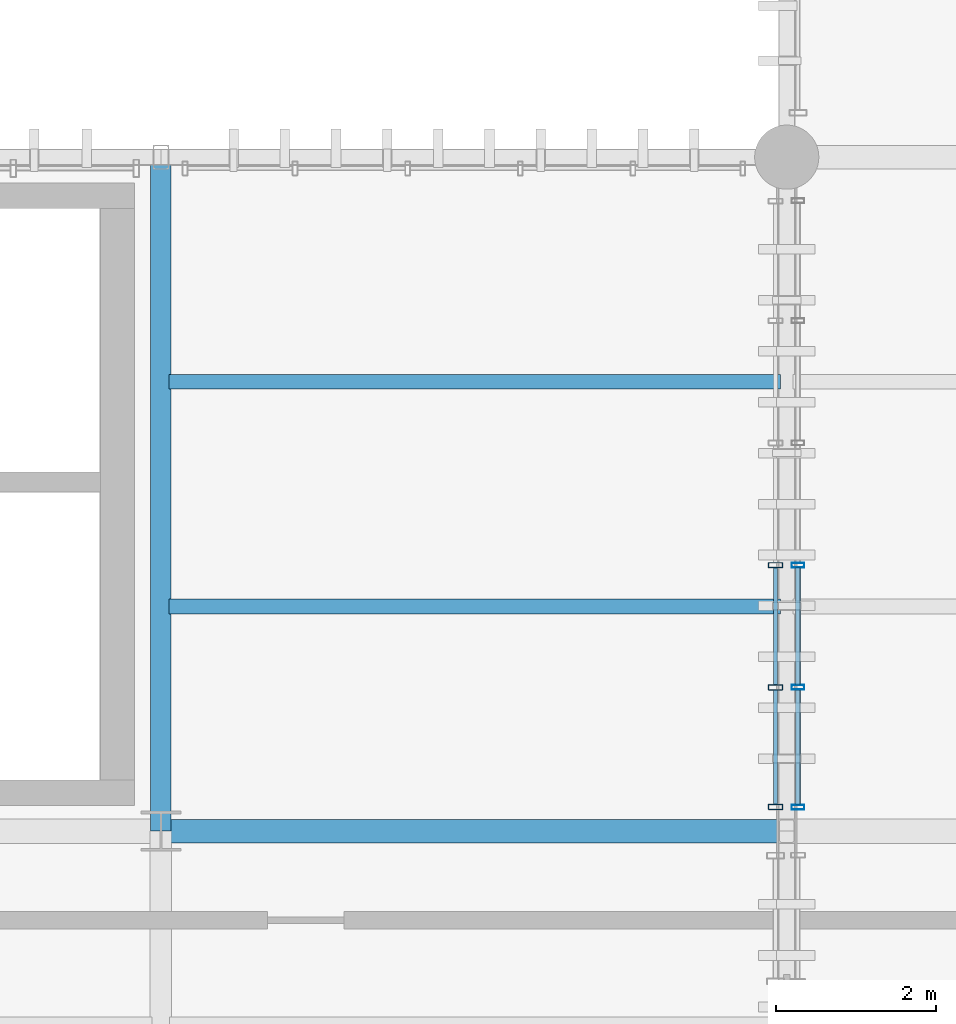
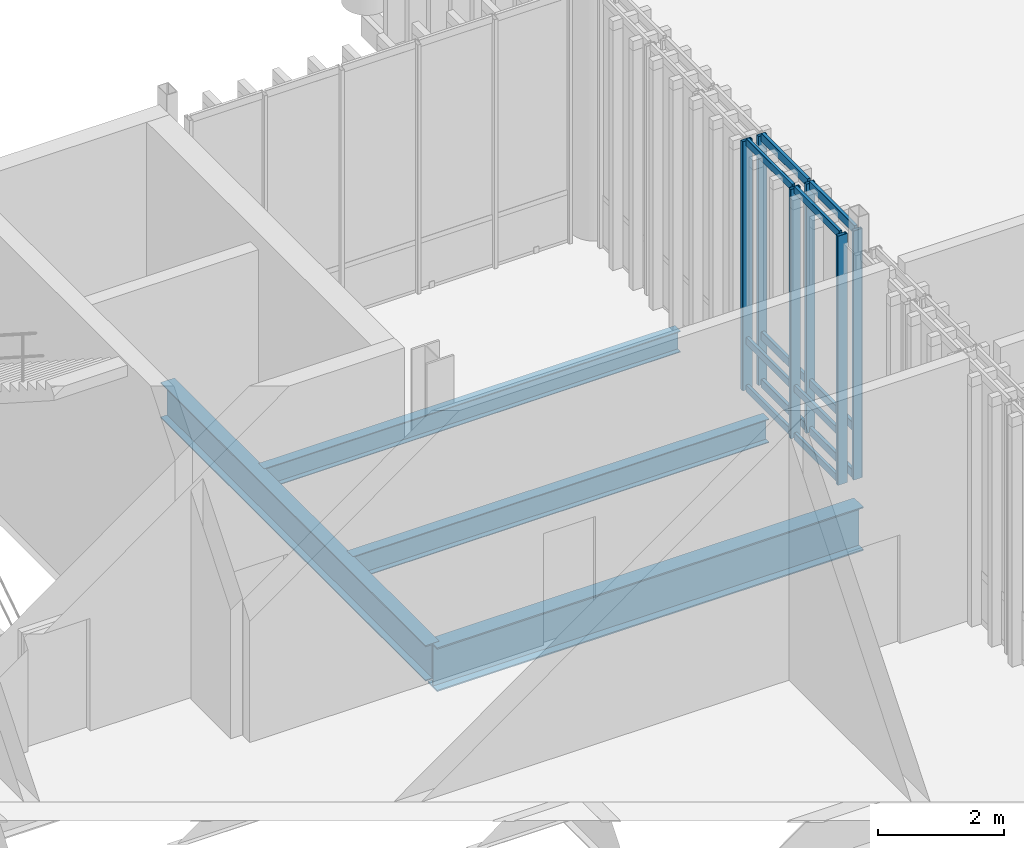
# One storey, part 37 of 128: 18 members, 4 beams, 2 elements without a shape of their own.
"""IFC4 building model written with IfcOpenShell, lengths in metres."""

import ifcopenshell
import ifcopenshell.guid

model = None  # the IFC model being written
_history = None  # IfcOwnerHistory: only IFC2X3 demands one
_inside = {}  # id of a spatial element -> (the spatial element, [elements in it])
_under = {}  # id of a project, library or spatial element -> (it, [spatial elements below it])
_declared = {}  # id of a project -> (the project, [libraries it declares])
_typed = {}  # id of a type object -> (the type object, [elements of that type])
_made_of = {}  # id of a material, layer set ... -> (it, [elements and type objects made of it])


def new_model(schema):
    """Start an empty IFC model of exactly this schema.

    Asked for "IFC4X3", IfcOpenShell would pick the latest addendum, in which some entities
    have other attributes; the version numbers below select the first issue.
    IFC2X3 requires an IfcOwnerHistory on every rooted entity: one is made here for all.
    """
    global model, _history
    if schema == "IFC4X3":
        model = ifcopenshell.file(schema_version=(4, 3, 0, 0))
    else:
        model = ifcopenshell.file(schema=schema)
    _inside.clear()
    _under.clear()
    _declared.clear()
    _typed.clear()
    _made_of.clear()
    _history = None
    if model.schema == "IFC2X3":
        org = make("IfcOrganization", Name="unknown")
        user = make(
            "IfcPersonAndOrganization",
            ThePerson=make("IfcPerson", FamilyName="unknown"),
            TheOrganization=org,
        )
        app = make(
            "IfcApplication",
            ApplicationDeveloper=org,
            Version="unknown",
            ApplicationFullName="unknown",
            ApplicationIdentifier="unknown",
        )
        _history = make(
            "IfcOwnerHistory",
            OwningUser=user,
            OwningApplication=app,
            ChangeAction="ADDED",
            CreationDate=0,
        )
    return model


def make(cls, **values):
    """One entity of the class cls with the attributes given. An attribute that is None is left unset."""
    return model.create_entity(
        cls, **{name: value for name, value in values.items() if value is not None}
    )


def rooted(cls, **values):
    """An entity with a GlobalId (a new one), such as an element, a storey or a relation."""
    return make(cls, GlobalId=ifcopenshell.guid.new(), OwnerHistory=_history, **values)


def si_unit(unit_type, name, prefix=None):
    """IfcSIUnit, for example si_unit("LENGTHUNIT", "METRE", prefix="MILLI")."""
    return make("IfcSIUnit", UnitType=unit_type, Prefix=prefix, Name=name)


def assignment(units):
    """IfcUnitAssignment: the units of a project."""
    return None if units is None else make("IfcUnitAssignment", Units=units)


def point(xyz):
    """IfcCartesianPoint."""
    return None if xyz is None else make("IfcCartesianPoint", Coordinates=xyz)


def direction(xyz):
    """IfcDirection."""
    return None if xyz is None else make("IfcDirection", DirectionRatios=xyz)


def frame(location, z_axis=None, x_axis=None):
    """IfcAxis2Placement3D, a coordinate frame: its origin and axes. An axis left out is left unset."""
    return make(
        "IfcAxis2Placement3D",
        Location=point(location),
        Axis=direction(z_axis),
        RefDirection=direction(x_axis),
    )


def frame_2d(location, x_axis=None):
    """IfcAxis2Placement2D, a coordinate frame in the plane: its origin and x axis."""
    return make(
        "IfcAxis2Placement2D", Location=point(location), RefDirection=direction(x_axis)
    )


def origin_with_axes():
    """The frame at (0, 0, 0) with the z axis (0, 0, 1) and the x axis (1, 0, 0) written out."""
    return frame((0.0, 0.0, 0.0), z_axis=(0.0, 0.0, 1.0), x_axis=(1.0, 0.0, 0.0))


def origin_2d_with_axis():
    """The frame at (0, 0) in the plane with the x axis (1, 0) written out."""
    return frame_2d((0.0, 0.0), x_axis=(1.0, 0.0))


def place(relative_to, where):
    """IfcLocalPlacement: puts the frame where relative to a parent placement (None: the world)."""
    return make(
        "IfcLocalPlacement", PlacementRelTo=relative_to, RelativePlacement=where
    )


def context(
    kind, dimensions, precision=None, world=None, true_north=None, identifier=None
):
    """IfcGeometricRepresentationContext, for example the 3D "Model" context."""
    return make(
        "IfcGeometricRepresentationContext",
        ContextIdentifier=identifier,
        ContextType=kind,
        CoordinateSpaceDimension=dimensions,
        Precision=precision,
        WorldCoordinateSystem=world,
        TrueNorth=true_north,
    )


def subcontext(parent, identifier, kind, view, scale=None):
    """IfcGeometricRepresentationSubContext, for example "Body" below "Model"."""
    return make(
        "IfcGeometricRepresentationSubContext",
        ContextIdentifier=identifier,
        ContextType=kind,
        ParentContext=parent,
        TargetScale=scale,
        TargetView=view,
    )


def project(units=None, contexts=None):
    """IfcProject with its units and contexts."""
    return rooted(
        "IfcProject",
        Name="project",
        RepresentationContexts=contexts,
        UnitsInContext=assignment(units),
    )


def spatial(cls, under=None, at=None, **own):
    """A site, building, storey or space (cls), placed at a placement, below another one or the project."""
    s = rooted(cls, ObjectPlacement=at, **own)
    if under is not None:
        _under.setdefault(under.id(), (under, []))[1].append(s)
    return s


def profile(cls, at=None, kind="AREA", **sizes):
    """A parametric profile (cls). Its sizes go by their IFC names, for example OverallWidth=200.0."""
    return make(cls, ProfileType=kind, Position=at, **sizes)


def hollow_rectangle(**sizes):
    """IfcRectangleHollowProfileDef."""
    return profile("IfcRectangleHollowProfileDef", **sizes)


def i_section(**sizes):
    """IfcIShapeProfileDef."""
    return profile("IfcIShapeProfileDef", **sizes)


def extrude(swept, where, along, depth):
    """IfcExtrudedAreaSolid: the profile swept, set in the frame where, extruded along a direction by depth."""
    return make(
        "IfcExtrudedAreaSolid",
        SweptArea=swept,
        Position=where,
        ExtrudedDirection=direction(along),
        Depth=depth,
    )


def shape(context_of_items, identifier, shape_type, items):
    """IfcShapeRepresentation: the items that make up one representation, for example the "Body"."""
    return make(
        "IfcShapeRepresentation",
        ContextOfItems=context_of_items,
        RepresentationIdentifier=identifier,
        RepresentationType=shape_type,
        Items=items,
    )


def material(Name=None, Category=None):
    """IfcMaterial."""
    return make("IfcMaterial", Name=Name, Category=Category)


def material_profile(
    of_material, cross_section, Name=None, Category=None, Priority=None
):
    """IfcMaterialProfile: a cross section and its material."""
    return make(
        "IfcMaterialProfile",
        Name=Name,
        Material=of_material,
        Profile=cross_section,
        Priority=Priority,
        Category=Category,
    )


def profile_set(profiles, Name=None, composite=None):
    """IfcMaterialProfileSet."""
    return make(
        "IfcMaterialProfileSet",
        Name=Name,
        MaterialProfiles=profiles,
        CompositeProfile=composite,
    )


def made_of(thing, what):
    """Note that an element or type object is made of a material, layer set ...; save() writes the relation."""
    if what is not None:
        _made_of.setdefault(what.id(), (what, []))[1].append(thing)
    return thing


def type_object(cls, material=None, **own):
    """A type object (cls), such as IfcWallType, which elements share."""
    return made_of(rooted(cls, **own), material)


def element(
    cls,
    number,
    at=None,
    inside=None,
    cuts=None,
    type_object=None,
    material=None,
    context=None,
    identifier="Body",
    shape_type=None,
    held_by="IfcProductDefinitionShape",
    body=None,
    shapes=None,
    **own,
):
    """One element of the class cls, such as IfcWall. Its Tag is "e" and its number.

    at: its placement. inside: the storey or other place that contains it. cuts: it is an
    opening in that element (IfcRelVoidsElement). A single representation is given by context,
    identifier, shape_type and body (its items); several are given by shapes. held_by: the class
    of the entity that holds the representations. save() writes the other relations.
    """
    e = rooted(cls, Tag="e%d" % number, ObjectPlacement=at, **own)
    if body is not None:
        shapes = [shape(context, identifier, shape_type, body)]
    if shapes is not None:
        e.Representation = make(held_by, Representations=shapes)
    if inside is not None:
        _inside.setdefault(inside.id(), (inside, []))[1].append(e)
    if cuts is not None:
        rooted(
            "IfcRelVoidsElement", RelatingBuildingElement=cuts, RelatedOpeningElement=e
        )
    if type_object is not None:
        _typed.setdefault(type_object.id(), (type_object, []))[1].append(e)
    return made_of(e, material)


def aggregate(whole, parts):
    """IfcRelAggregates: a whole, such as a stair, and the parts it consists of."""
    return rooted("IfcRelAggregates", RelatingObject=whole, RelatedObjects=parts)


def save(model, path):
    """Write the relations noted so far, then the file.

    IfcRelAggregates (storeys below a building ...), IfcRelContainedInSpatialStructure (elements
    in a storey), IfcRelDefinesByType, IfcRelAssociatesMaterial and IfcRelDeclares: one each for
    every whole, place, type object, material and project.
    """
    for whole, parts in _under.values():
        aggregate(whole, parts)
    for where, things in _inside.values():
        rooted(
            "IfcRelContainedInSpatialStructure",
            RelatedElements=things,
            RelatingStructure=where,
        )
    for kind, things in _typed.values():
        rooted("IfcRelDefinesByType", RelatedObjects=things, RelatingType=kind)
    for what, things in _made_of.values():
        rooted("IfcRelAssociatesMaterial", RelatedObjects=things, RelatingMaterial=what)
    for by, libraries in _declared.values():
        rooted("IfcRelDeclares", RelatingContext=by, RelatedDefinitions=libraries)
    model.write(path)


model = new_model("IFC4")

# Units and contexts
model_context = context("Model", 3, precision=1e-05, world=origin_with_axes(), true_north=direction((0.0, 1.0)))
body_context = subcontext(model_context, "Body", "Model", "MODEL_VIEW")
ifc_project = project(units=[si_unit("LENGTHUNIT", "METRE"), si_unit("AREAUNIT", "SQUARE_METRE"), si_unit("VOLUMEUNIT", "CUBIC_METRE"), si_unit("PLANEANGLEUNIT", "RADIAN"), si_unit("MASSUNIT", "GRAM", prefix="KILO"), si_unit("THERMODYNAMICTEMPERATUREUNIT", "KELVIN")], contexts=[model_context])

# Site, building, storey
site_placement = place(None, origin_with_axes())
site = spatial("IfcSite", under=ifc_project, at=site_placement, CompositionType="ELEMENT")
building_placement = place(site_placement, origin_with_axes())
building = spatial("IfcBuilding", under=site, at=building_placement, Name="Montbau Bow Law Courts", CompositionType="ELEMENT")
storey_placement = place(building_placement, frame((0.0, 0.0, 5.4), z_axis=(0.0, 0.0, 1.0), x_axis=(1.0, 0.0, 0.0)))
storey = spatial("IfcBuildingStorey", under=building, at=storey_placement, Name="L01", CompositionType="ELEMENT", Elevation=5.4)

# Beams
ifc_material_1 = material(Name="Steel CSA G40.21 Grade 350W (350 MPa)", Category="steel")
ifc_material_profile_1 = material_profile(ifc_material_1, i_section(OverallWidth=0.293, OverallDepth=0.846, WebThickness=0.0154, FlangeThickness=0.0244, at=origin_2d_with_axis()), Name="W840X210", Category="Main", Priority=0)
ifc_profile_set_1 = profile_set([ifc_material_profile_1], Name="Steel CSA G40.21 Grade 350W (350 MPa)")
beam_type_1 = type_object("IfcBeamType", Name="B-FLR-02", PredefinedType="BEAM", material=ifc_profile_set_1)
beam_1_placement = place(None, frame((39.0, 46.2, 4.737), z_axis=(1.0, 0.0, 0.0), x_axis=(0.0, 1.0, 0.0)))
element("IfcBeam", 1, at=beam_1_placement, inside=storey, type_object=beam_type_1, Name="BM-L01-S0528:bm2_0531", PredefinedType="BEAM", context=body_context, shape_type="SweptSolid", body=[
    extrude(i_section(OverallWidth=0.293, OverallDepth=0.846, WebThickness=0.0154, FlangeThickness=0.0244, at=origin_2d_with_axis()), origin_with_axes(), (0.0, 0.0, 1.0), 7.8),
])
ifc_material_profile_2 = material_profile(ifc_material_1, i_section(OverallWidth=0.254, OverallDepth=0.688, WebThickness=0.0131, FlangeThickness=0.0211, at=origin_2d_with_axis()), Name="W690X152", Category="Main", Priority=0)
ifc_profile_set_2 = profile_set([ifc_material_profile_2], Name="Steel CSA G40.21 Grade 350W (350 MPa)")
beam_type_2 = type_object("IfcBeamType", Name="B-FLR-04", PredefinedType="BEAM", material=ifc_profile_set_2)
beam_2_placement = place(None, frame((39.0, 46.2, 4.816), z_axis=(0.0, 1.0, 0.0), x_axis=(-1.0, 0.0, 0.0)))
element("IfcBeam", 2, at=beam_2_placement, inside=storey, type_object=beam_type_2, Name="BM-L01-S0546:bm2_0549", PredefinedType="BEAM", context=body_context, shape_type="SweptSolid", body=[
    extrude(i_section(OverallWidth=0.254, OverallDepth=0.688, WebThickness=0.0131, FlangeThickness=0.0211, at=origin_2d_with_axis()), origin_with_axes(), (0.0, 0.0, 1.0), 8.4),
])
ifc_material_profile_3 = material_profile(ifc_material_1, i_section(OverallWidth=0.191, OverallDepth=0.46, WebThickness=0.0099, FlangeThickness=0.016, at=origin_2d_with_axis()), Name="W460X82", Category="Main", Priority=0)
ifc_profile_set_3 = profile_set([ifc_material_profile_3], Name="Steel CSA G40.21 Grade 350W (350 MPa)")
beam_type_3 = type_object("IfcBeamType", Name="B-JST-01", PredefinedType="JOIST", material=ifc_profile_set_3)
beam_3_placement = place(None, frame((39.103, 49.0, 4.93), z_axis=(1.0, 0.0, 0.0), x_axis=(0.0, 1.0, 0.0)))
element("IfcBeam", 3, at=beam_3_placement, inside=storey, type_object=beam_type_3, Name="JST-L01-S0264:jst2_0264", PredefinedType="JOIST", context=body_context, shape_type="SweptSolid", body=[
    extrude(i_section(OverallWidth=0.191, OverallDepth=0.46, WebThickness=0.0099, FlangeThickness=0.016, at=origin_2d_with_axis()), origin_with_axes(), (0.0, 0.0, 1.0), 7.617),
])
ifc_material_profile_4 = material_profile(ifc_material_1, i_section(OverallWidth=0.179, OverallDepth=0.41, WebThickness=0.0088, FlangeThickness=0.0144, at=origin_2d_with_axis()), Name="W410X67", Category="Main", Priority=0)
ifc_profile_set_4 = profile_set([ifc_material_profile_4], Name="Steel CSA G40.21 Grade 350W (350 MPa)")
beam_type_4 = type_object("IfcBeamType", Name="B-JST-02", PredefinedType="JOIST", material=ifc_profile_set_4)
beam_4_placement = place(None, frame((39.103, 51.8, 4.955), z_axis=(1.0, 0.0, 0.0), x_axis=(0.0, 1.0, 0.0)))
element("IfcBeam", 4, at=beam_4_placement, inside=storey, type_object=beam_type_4, Name="JST-L01-S0265:jst2_0265", PredefinedType="JOIST", context=body_context, shape_type="SweptSolid", body=[
    extrude(i_section(OverallWidth=0.179, OverallDepth=0.41, WebThickness=0.0088, FlangeThickness=0.0144, at=origin_2d_with_axis()), origin_with_axes(), (0.0, 0.0, 1.0), 7.617),
])

# Curtain wall, members
ifc_material_2 = material(Name="Thermally Broken Extruded Aluminium AA 6063-T6", Category="aluminium")
curtain_wall_type_1 = type_object("IfcCurtainWallType", Name="CW-TRC-01", PredefinedType="NOTDEFINED", material=ifc_material_2)
curtain_wall_1_placement = place(None, frame((46.66, 46.468, 5.4), z_axis=(0.0, 0.0, 1.0), x_axis=(1.0, 0.0, 0.0)))
curtain_wall_1 = element("IfcCurtainWall", 5, at=curtain_wall_1_placement, inside=storey, type_object=curtain_wall_type_1, Name="CW-L01-031:cw_0031", PredefinedType="NOTDEFINED")
ifc_material_profile_5 = material_profile(ifc_material_2, hollow_rectangle(XDim=0.065, YDim=0.18, WallThickness=0.005, InnerFilletRadius=0.01, OuterFilletRadius=0.005, at=origin_2d_with_axis()), Name="CWM-180X65", Category="Main", Priority=0)
ifc_profile_set_5 = profile_set([ifc_material_profile_5], Name="Thermally Broken Extruded Aluminium AA 6063-T6")
member_type_1 = type_object("IfcMemberType", Name="M-MUL-02", PredefinedType="MULLION", material=ifc_profile_set_5)
member_1_placement = place(None, frame((46.66, 46.501, 5.4), z_axis=(0.0, 0.0, 1.0), x_axis=(0.0, 1.0, 0.0)))
member_1 = element("IfcMember", 6, at=member_1_placement, type_object=member_type_1, Name="CW-L01-031-M01:cw_0031_M01", PredefinedType="MULLION", context=body_context, shape_type="SweptSolid", body=[
    extrude(hollow_rectangle(XDim=0.065, YDim=0.18, WallThickness=0.005, InnerFilletRadius=0.01, OuterFilletRadius=0.005, at=origin_2d_with_axis()), origin_with_axes(), (0.0, 0.0, 1.0), 4.82),
])
member_2_placement = place(None, frame((46.66, 47.991, 5.4), z_axis=(0.0, 0.0, 1.0), x_axis=(0.0, 1.0, 0.0)))
member_2 = element("IfcMember", 7, at=member_2_placement, type_object=member_type_1, Name="CW-L01-031-M02:cw_0031_M02", PredefinedType="MULLION", context=body_context, shape_type="SweptSolid", body=[
    extrude(hollow_rectangle(XDim=0.065, YDim=0.18, WallThickness=0.005, InnerFilletRadius=0.01, OuterFilletRadius=0.005, at=origin_2d_with_axis()), origin_with_axes(), (0.0, 0.0, 1.0), 4.82),
])
member_3_placement = place(None, frame((46.66, 49.515, 5.4), z_axis=(0.0, 0.0, 1.0), x_axis=(0.0, 1.0, 0.0)))
member_3 = element("IfcMember", 8, at=member_3_placement, type_object=member_type_1, Name="CW-L01-031-M03:cw_0031_M03", PredefinedType="MULLION", context=body_context, shape_type="SweptSolid", body=[
    extrude(hollow_rectangle(XDim=0.065, YDim=0.18, WallThickness=0.005, InnerFilletRadius=0.01, OuterFilletRadius=0.005, at=origin_2d_with_axis()), origin_with_axes(), (0.0, 0.0, 1.0), 4.82),
])

curtain_wall_type_2 = type_object("IfcCurtainWallType", Name="CW-CRM-01", PredefinedType="NOTDEFINED", material=ifc_material_2)
curtain_wall_2_placement = place(None, frame((46.94, 46.468, 5.4), z_axis=(0.0, 0.0, 1.0), x_axis=(1.0, 0.0, 0.0)))
curtain_wall_2 = element("IfcCurtainWall", 9, at=curtain_wall_2_placement, inside=storey, type_object=curtain_wall_type_2, Name="CW-L01-152:cw_0152", PredefinedType="NOTDEFINED")
ifc_material_profile_6 = material_profile(ifc_material_2, hollow_rectangle(XDim=0.06, YDim=0.16, WallThickness=0.004, InnerFilletRadius=0.008, OuterFilletRadius=0.004, at=origin_2d_with_axis()), Name="CWM-160X60", Category="Main", Priority=0)
ifc_profile_set_6 = profile_set([ifc_material_profile_6], Name="Thermally Broken Extruded Aluminium AA 6063-T6")
member_type_2 = type_object("IfcMemberType", Name="M-MUL-03", PredefinedType="MULLION", material=ifc_profile_set_6)
member_4_placement = place(None, frame((46.94, 46.498, 5.4), z_axis=(0.0, 0.0, 1.0), x_axis=(0.0, 1.0, 0.0)))
member_4 = element("IfcMember", 10, at=member_4_placement, type_object=member_type_2, Name="CW-L01-152-M01:cw_0152_M01", PredefinedType="MULLION", context=body_context, shape_type="SweptSolid", body=[
    extrude(hollow_rectangle(XDim=0.06, YDim=0.16, WallThickness=0.004, InnerFilletRadius=0.008, OuterFilletRadius=0.004, at=origin_2d_with_axis()), origin_with_axes(), (0.0, 0.0, 1.0), 4.82),
])
member_5_placement = place(None, frame((46.94, 47.991, 5.4), z_axis=(0.0, 0.0, 1.0), x_axis=(0.0, 1.0, 0.0)))
member_5 = element("IfcMember", 11, at=member_5_placement, type_object=member_type_2, Name="CW-L01-152-M02:cw_0152_M02", PredefinedType="MULLION", context=body_context, shape_type="SweptSolid", body=[
    extrude(hollow_rectangle(XDim=0.06, YDim=0.16, WallThickness=0.004, InnerFilletRadius=0.008, OuterFilletRadius=0.004, at=origin_2d_with_axis()), origin_with_axes(), (0.0, 0.0, 1.0), 4.82),
])
member_6_placement = place(None, frame((46.94, 49.515, 5.4), z_axis=(0.0, 0.0, 1.0), x_axis=(0.0, 1.0, 0.0)))
member_6 = element("IfcMember", 12, at=member_6_placement, type_object=member_type_2, Name="CW-L01-152-M03:cw_0152_M03", PredefinedType="MULLION", context=body_context, shape_type="SweptSolid", body=[
    extrude(hollow_rectangle(XDim=0.06, YDim=0.16, WallThickness=0.004, InnerFilletRadius=0.008, OuterFilletRadius=0.004, at=origin_2d_with_axis()), origin_with_axes(), (0.0, 0.0, 1.0), 4.82),
])
ifc_material_profile_7 = material_profile(ifc_material_2, hollow_rectangle(XDim=0.06, YDim=0.16, WallThickness=0.004, InnerFilletRadius=0.008, OuterFilletRadius=0.004, at=origin_2d_with_axis()), Name="CWT-160X60", Category="Main", Priority=0)
ifc_profile_set_7 = profile_set([ifc_material_profile_7], Name="Thermally Broken Extruded Aluminium AA 6063-T6")
member_type_3 = type_object("IfcMemberType", Name="M-TRN-01", PredefinedType="USERDEFINED", material=ifc_profile_set_7)
member_7_placement = place(None, frame((46.94, 46.53, 5.43), z_axis=(0.0, 1.0, 0.0), x_axis=(-1.0, 0.0, 0.0)))
member_7 = element("IfcMember", 13, at=member_7_placement, type_object=member_type_3, Name="CW-L01-152-T01-1:cw_0152_T01_1", ObjectType="TRANSOM", PredefinedType="USERDEFINED", context=body_context, shape_type="SweptSolid", body=[
    extrude(hollow_rectangle(XDim=0.06, YDim=0.16, WallThickness=0.004, InnerFilletRadius=0.008, OuterFilletRadius=0.004, at=origin_2d_with_axis()), origin_with_axes(), (0.0, 0.0, 1.0), 1.429),
])
member_8_placement = place(None, frame((46.94, 46.53, 6.35), z_axis=(0.0, 1.0, 0.0), x_axis=(-1.0, 0.0, 0.0)))
member_8 = element("IfcMember", 14, at=member_8_placement, type_object=member_type_3, Name="CW-L01-152-T01-2:cw_0152_T01_2", ObjectType="TRANSOM", PredefinedType="USERDEFINED", context=body_context, shape_type="SweptSolid", body=[
    extrude(hollow_rectangle(XDim=0.06, YDim=0.16, WallThickness=0.004, InnerFilletRadius=0.008, OuterFilletRadius=0.004, at=origin_2d_with_axis()), origin_with_axes(), (0.0, 0.0, 1.0), 1.429),
])
member_9_placement = place(None, frame((46.94, 46.53, 10.19), z_axis=(0.0, 1.0, 0.0), x_axis=(-1.0, 0.0, 0.0)))
member_9 = element("IfcMember", 15, at=member_9_placement, type_object=member_type_3, Name="CW-L01-152-T01-3:cw_0152_T01_3", ObjectType="TRANSOM", PredefinedType="USERDEFINED", context=body_context, shape_type="SweptSolid", body=[
    extrude(hollow_rectangle(XDim=0.06, YDim=0.16, WallThickness=0.004, InnerFilletRadius=0.008, OuterFilletRadius=0.004, at=origin_2d_with_axis()), origin_with_axes(), (0.0, 0.0, 1.0), 1.429),
])
member_10_placement = place(None, frame((46.94, 48.023, 5.43), z_axis=(0.0, 1.0, 0.0), x_axis=(-1.0, 0.0, 0.0)))
member_10 = element("IfcMember", 16, at=member_10_placement, type_object=member_type_3, Name="CW-L01-152-T02-1:cw_0152_T02_1", ObjectType="TRANSOM", PredefinedType="USERDEFINED", context=body_context, shape_type="SweptSolid", body=[
    extrude(hollow_rectangle(XDim=0.06, YDim=0.16, WallThickness=0.004, InnerFilletRadius=0.008, OuterFilletRadius=0.004, at=origin_2d_with_axis()), origin_with_axes(), (0.0, 0.0, 1.0), 1.46),
])
member_11_placement = place(None, frame((46.94, 48.023, 6.35), z_axis=(0.0, 1.0, 0.0), x_axis=(-1.0, 0.0, 0.0)))
member_11 = element("IfcMember", 17, at=member_11_placement, type_object=member_type_3, Name="CW-L01-152-T02-2:cw_0152_T02_2", ObjectType="TRANSOM", PredefinedType="USERDEFINED", context=body_context, shape_type="SweptSolid", body=[
    extrude(hollow_rectangle(XDim=0.06, YDim=0.16, WallThickness=0.004, InnerFilletRadius=0.008, OuterFilletRadius=0.004, at=origin_2d_with_axis()), origin_with_axes(), (0.0, 0.0, 1.0), 1.46),
])
member_12_placement = place(None, frame((46.94, 48.023, 10.19), z_axis=(0.0, 1.0, 0.0), x_axis=(-1.0, 0.0, 0.0)))
member_12 = element("IfcMember", 18, at=member_12_placement, type_object=member_type_3, Name="CW-L01-152-T02-3:cw_0152_T02_3", ObjectType="TRANSOM", PredefinedType="USERDEFINED", context=body_context, shape_type="SweptSolid", body=[
    extrude(hollow_rectangle(XDim=0.06, YDim=0.16, WallThickness=0.004, InnerFilletRadius=0.008, OuterFilletRadius=0.004, at=origin_2d_with_axis()), origin_with_axes(), (0.0, 0.0, 1.0), 1.46),
])
aggregate(curtain_wall_2, [member_4, member_5, member_6, member_7, member_8, member_9, member_10, member_11, member_12])

# Member
ifc_material_profile_8 = material_profile(ifc_material_2, hollow_rectangle(XDim=0.055, YDim=0.14, WallThickness=0.004, InnerFilletRadius=0.008, OuterFilletRadius=0.004, at=origin_2d_with_axis()), Name="CWT-140X55", Category="Main", Priority=0)
ifc_profile_set_8 = profile_set([ifc_material_profile_8], Name="Thermally Broken Extruded Aluminium AA 6063-T6")
member_type_4 = type_object("IfcMemberType", Name="M-TRN-02", PredefinedType="USERDEFINED", material=ifc_profile_set_8)
member_13_placement = place(None, frame((46.66, 46.536, 5.428), z_axis=(0.0, 1.0, 0.0), x_axis=(-1.0, 0.0, 0.0)))
member_13 = element("IfcMember", 19, at=member_13_placement, type_object=member_type_4, Name="CW-L01-031-T01-1:cw_0031_T01_1", ObjectType="TRANSOM", PredefinedType="USERDEFINED", context=body_context, shape_type="SweptSolid", body=[
    extrude(hollow_rectangle(XDim=0.055, YDim=0.14, WallThickness=0.004, InnerFilletRadius=0.008, OuterFilletRadius=0.004, at=origin_2d_with_axis()), origin_with_axes(), (0.0, 0.0, 1.0), 1.42),
])

member_14_placement = place(None, frame((46.66, 46.536, 6.35), z_axis=(0.0, 1.0, 0.0), x_axis=(-1.0, 0.0, 0.0)))
member_14 = element("IfcMember", 20, at=member_14_placement, type_object=member_type_4, Name="CW-L01-031-T01-2:cw_0031_T01_2", ObjectType="TRANSOM", PredefinedType="USERDEFINED", context=body_context, shape_type="SweptSolid", body=[
    extrude(hollow_rectangle(XDim=0.055, YDim=0.14, WallThickness=0.004, InnerFilletRadius=0.008, OuterFilletRadius=0.004, at=origin_2d_with_axis()), origin_with_axes(), (0.0, 0.0, 1.0), 1.42),
])

member_15_placement = place(None, frame((46.66, 46.536, 10.193), z_axis=(0.0, 1.0, 0.0), x_axis=(-1.0, 0.0, 0.0)))
member_15 = element("IfcMember", 21, at=member_15_placement, type_object=member_type_4, Name="CW-L01-031-T01-3:cw_0031_T01_3", ObjectType="TRANSOM", PredefinedType="USERDEFINED", context=body_context, shape_type="SweptSolid", body=[
    extrude(hollow_rectangle(XDim=0.055, YDim=0.14, WallThickness=0.004, InnerFilletRadius=0.008, OuterFilletRadius=0.004, at=origin_2d_with_axis()), origin_with_axes(), (0.0, 0.0, 1.0), 1.42),
])

member_16_placement = place(None, frame((46.66, 48.025, 5.428), z_axis=(0.0, 1.0, 0.0), x_axis=(-1.0, 0.0, 0.0)))
member_16 = element("IfcMember", 22, at=member_16_placement, type_object=member_type_4, Name="CW-L01-031-T02-1:cw_0031_T02_1", ObjectType="TRANSOM", PredefinedType="USERDEFINED", context=body_context, shape_type="SweptSolid", body=[
    extrude(hollow_rectangle(XDim=0.055, YDim=0.14, WallThickness=0.004, InnerFilletRadius=0.008, OuterFilletRadius=0.004, at=origin_2d_with_axis()), origin_with_axes(), (0.0, 0.0, 1.0), 1.456),
])

member_17_placement = place(None, frame((46.66, 48.025, 6.35), z_axis=(0.0, 1.0, 0.0), x_axis=(-1.0, 0.0, 0.0)))
member_17 = element("IfcMember", 23, at=member_17_placement, type_object=member_type_4, Name="CW-L01-031-T02-2:cw_0031_T02_2", ObjectType="TRANSOM", PredefinedType="USERDEFINED", context=body_context, shape_type="SweptSolid", body=[
    extrude(hollow_rectangle(XDim=0.055, YDim=0.14, WallThickness=0.004, InnerFilletRadius=0.008, OuterFilletRadius=0.004, at=origin_2d_with_axis()), origin_with_axes(), (0.0, 0.0, 1.0), 1.456),
])

member_18_placement = place(None, frame((46.66, 48.025, 10.193), z_axis=(0.0, 1.0, 0.0), x_axis=(-1.0, 0.0, 0.0)))
member_18 = element("IfcMember", 24, at=member_18_placement, type_object=member_type_4, Name="CW-L01-031-T02-3:cw_0031_T02_3", ObjectType="TRANSOM", PredefinedType="USERDEFINED", context=body_context, shape_type="SweptSolid", body=[
    extrude(hollow_rectangle(XDim=0.055, YDim=0.14, WallThickness=0.004, InnerFilletRadius=0.008, OuterFilletRadius=0.004, at=origin_2d_with_axis()), origin_with_axes(), (0.0, 0.0, 1.0), 1.456),
])

aggregate(curtain_wall_1, [member_1, member_2, member_3, member_13, member_14, member_15, member_16, member_17, member_18])

save(model, "model.ifc")
